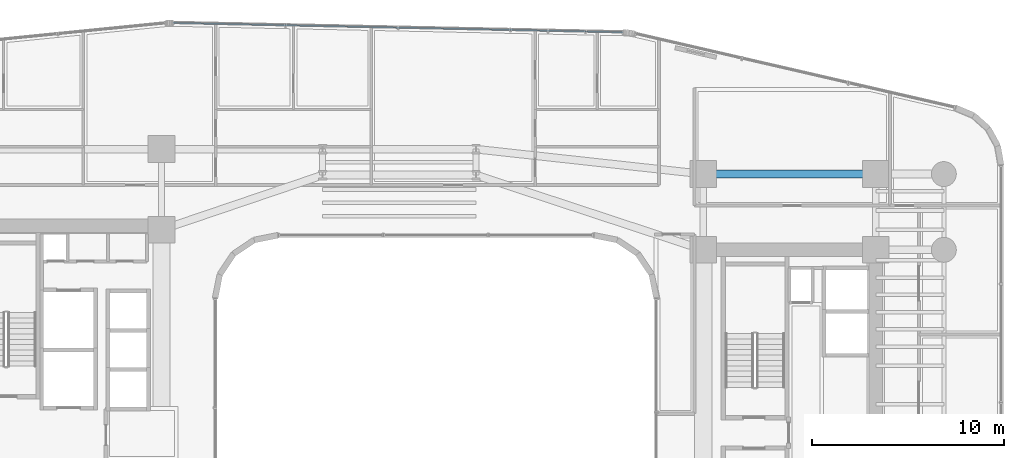
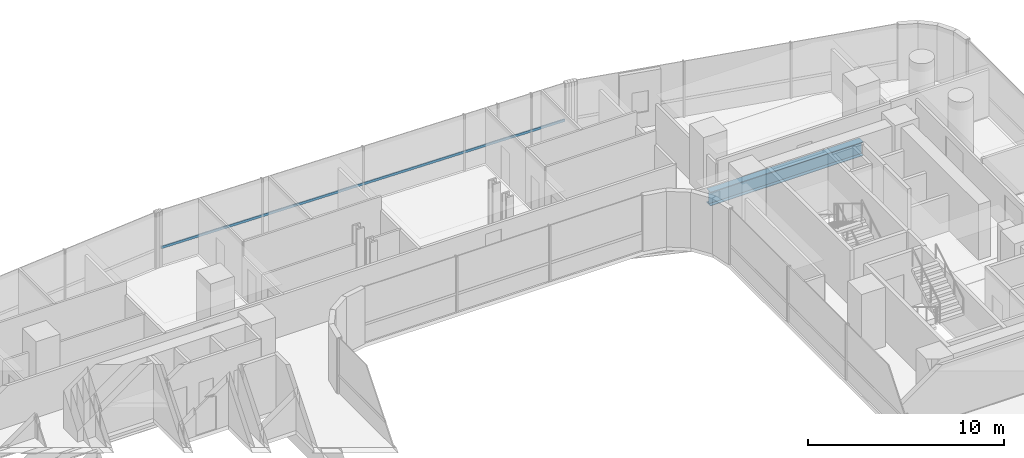
# One storey, part 22 of 40: 1 beam, 1 member, 1 element without a shape of its own.
"""IFC4 building model written with IfcOpenShell, lengths in metres."""

from ifc_helpers import new_model, si_unit, direction, frame, origin, origin_2d, place, context, subcontext, project, spatial, hollow_rectangle, i_section, extrude, source, transform, mapped, material, material_profile, profile_set, type_object, element, aggregate, save


model = new_model("IFC4")

# Units and contexts
model_context = context("Model", 3, precision=1e-05, world=origin(), true_north=direction((0.0, 1.0)))
body_context = subcontext(model_context, "Body", "Model", "MODEL_VIEW")
ifc_project = project(units=[si_unit("LENGTHUNIT", "METRE"), si_unit("AREAUNIT", "SQUARE_METRE"), si_unit("VOLUMEUNIT", "CUBIC_METRE"), si_unit("PLANEANGLEUNIT", "RADIAN"), si_unit("MASSUNIT", "GRAM", prefix="KILO")], contexts=[model_context])

# Site, building, storey
site_placement = place(None, origin())
site = spatial("IfcSite", under=ifc_project, at=site_placement, CompositionType="ELEMENT")
building_placement = place(site_placement, origin())
building = spatial("IfcBuilding", under=site, at=building_placement, Name="Valdorenza Pilgrim Sanctuary Tower", CompositionType="ELEMENT")
storey_placement = place(building_placement, frame((0.0, 0.0, 40.800048828125)))
storey = spatial("IfcBuildingStorey", under=building, at=storey_placement, Name="L09", CompositionType="ELEMENT", Elevation=40.800048828125)

# Beam
ifc_material_1 = material(Name="Steel ASTM A992 Grade 50", Category="steel")
ifc_material_profile_1 = material_profile(ifc_material_1, i_section(OverallWidth=0.39990234375, OverallDepth=0.862060546875, WebThickness=0.019775390625, FlangeThickness=0.032470703125, at=origin_2d()), Name="W33X221")
ifc_profile_set_1 = profile_set([ifc_material_profile_1], Name="Steel ASTM A992 Grade 50")
beam_type = type_object("IfcBeamType", Name="STR-BM-GRD-W33", PredefinedType="BEAM", material=ifc_profile_set_1)
shared_shape_1 = source(origin(), body_context, "Body", "SweptSolid", [
    extrude(i_section(OverallWidth=0.39990234375, OverallDepth=0.862060546875, WebThickness=0.019775390625, FlangeThickness=0.032470703125, at=origin_2d()), origin(), (0.0, 0.0, 1.0), 9.0),
])
beam_placement = place(storey_placement, frame((15.85009765625, 13.5, -0.671142578125), z_axis=(1.0, 0.0, 0.0), x_axis=(0.0, 1.0, 0.0)))
element("IfcBeam", 1, at=beam_placement, inside=storey, type_object=beam_type, Name="L09 Floor Girder CB-XC-N2", PredefinedType="BEAM", context=body_context, shape_type="MappedRepresentation", body=[
    mapped(shared_shape_1, transform((0.0, 0.0, 0.0), x_axis=(1.0, 0.0, 0.0), y_axis=(0.0, 1.0, 0.0), z_axis=(0.0, 0.0, 1.0), scale=1.0)),
])

# Curtain wall, member
ifc_material_2 = material(Name="Curtain-wall IGU glazing", Category="glass")
curtain_wall_type = type_object("IfcCurtainWallType", Name="CW-SYS-02", PredefinedType="NOTDEFINED", material=ifc_material_2)
curtain_wall_placement = place(storey_placement, origin())
curtain_wall = element("IfcCurtainWall", 2, at=curtain_wall_placement, inside=storey, type_object=curtain_wall_type, Name="L09 Curtain Wall CW-L09-1-11", PredefinedType="NOTDEFINED")
ifc_material_3 = material(Name="Anodised aluminium AW-6060", Category="aluminium")
ifc_material_profile_2 = material_profile(ifc_material_3, hollow_rectangle(XDim=0.074951171875, YDim=0.14990234375, WallThickness=0.00390625, at=origin_2d()), Name="ALU-T 150x75x4")
ifc_profile_set_2 = profile_set([ifc_material_profile_2], Name="Anodised aluminium AW-6060")
member_type = type_object("IfcMemberType", Name="CW-TRN-02", PredefinedType="USERDEFINED", material=ifc_profile_set_2)
shared_shape_2 = source(origin(), body_context, "Body", "SweptSolid", [
    extrude(hollow_rectangle(XDim=0.074951171875, YDim=0.14990234375, WallThickness=0.00390625, at=origin_2d()), origin(), (0.0, 0.0, 1.0), 23.479248046875),
])
member_placement = place(storey_placement, frame((-11.808349609375, 21.385986328125, 1.119873046875), z_axis=(0.999783083794, -0.020827514476, 0.0), x_axis=(0.020827514476, 0.999783083794, 0.0)))
member = element("IfcMember", 3, at=member_placement, type_object=member_type, Name="CW-L09-1-11 Transom 1", ObjectType="TRANSOM", PredefinedType="USERDEFINED", context=body_context, shape_type="MappedRepresentation", body=[
    mapped(shared_shape_2, transform((0.0, 0.0, 0.0), x_axis=(1.0, 0.0, 0.0), y_axis=(0.0, 1.0, 0.0), z_axis=(0.0, 0.0, 1.0), scale=1.0)),
])
aggregate(curtain_wall, [member])

save(model, "model.ifc")
